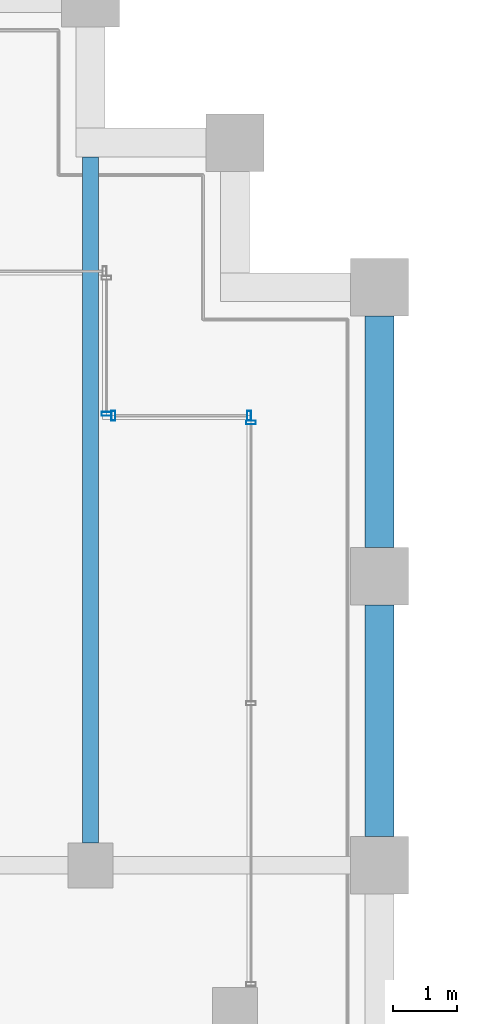
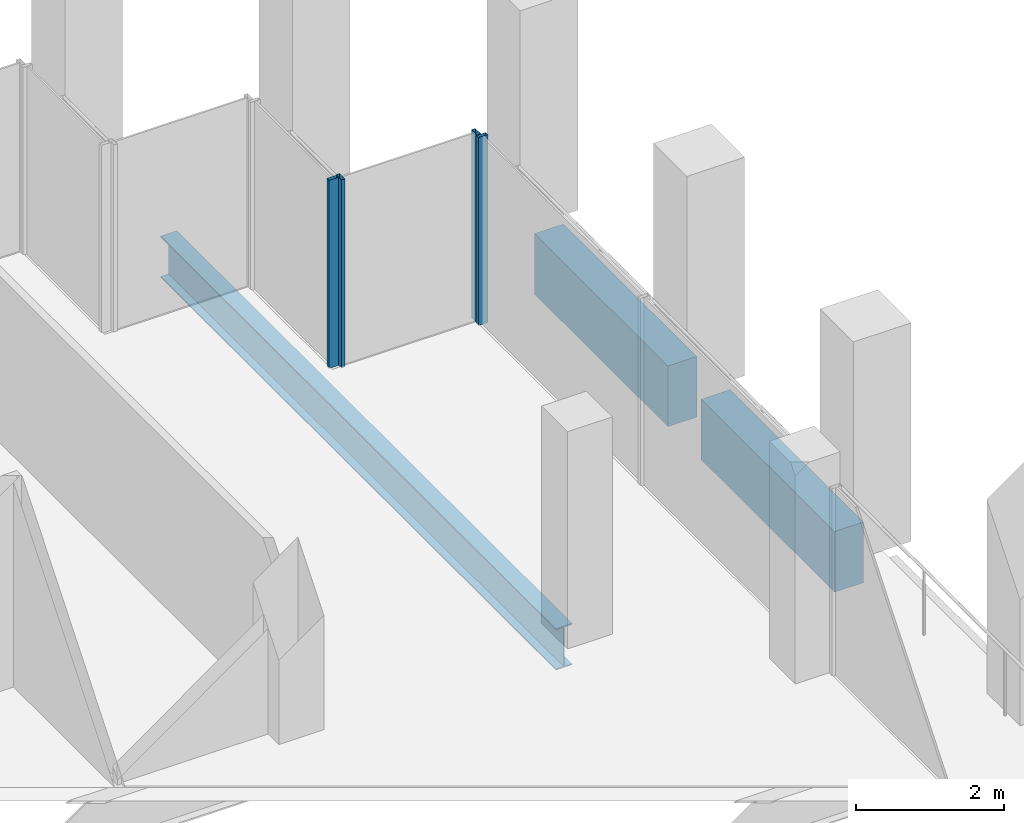
# One storey, part 25 of 40: 4 members, 3 beams, 3 elements without a shape of their own.
"""IFC4 building model written with IfcOpenShell, lengths in metres."""

from ifc_helpers import new_model, si_unit, direction, frame, origin, origin_2d, place, context, subcontext, project, spatial, rectangle, hollow_rectangle, i_section, extrude, material, material_profile, profile_set, type_object, element, aggregate, save


model = new_model("IFC4")

# Units and contexts
model_context = context("Model", 3, precision=1e-05, world=origin(), true_north=direction((0.0, 1.0)))
body_context = subcontext(model_context, "Body", "Model", "MODEL_VIEW")
ifc_project = project(units=[si_unit("LENGTHUNIT", "METRE"), si_unit("AREAUNIT", "SQUARE_METRE"), si_unit("VOLUMEUNIT", "CUBIC_METRE"), si_unit("PLANEANGLEUNIT", "RADIAN"), si_unit("MASSUNIT", "GRAM", prefix="KILO")], contexts=[model_context])

# Site, building, storey
site_placement = place(None, origin())
site = spatial("IfcSite", under=ifc_project, at=site_placement, CompositionType="ELEMENT")
building_placement = place(site_placement, origin())
building = spatial("IfcBuilding", under=site, at=building_placement, Name="Altepetl Exchange Towers", CompositionType="ELEMENT")
storey_placement = place(building_placement, frame((0.0, 0.0, 161.800048828125)))
storey = spatial("IfcBuildingStorey", under=building, at=storey_placement, Name="L40", CompositionType="ELEMENT", Elevation=161.800048828125)

# Beam
ifc_material_1 = material(Name="Steel S355", Category="steel")
ifc_material_profile_1 = material_profile(ifc_material_1, i_section(OverallWidth=0.25390625, OverallDepth=0.68408203125, WebThickness=0.012451171875, FlangeThickness=0.018798828125, at=origin_2d()), Name="W27X94")
ifc_profile_set_1 = profile_set([ifc_material_profile_1], Name="Steel S355")
beam_type_1 = type_object("IfcBeamType", Name="Floor beam W27X94", PredefinedType="BEAM", material=ifc_profile_set_1)
beam_placement = place(storey_placement, frame((67.5, 58.85009765625, -0.491943359375), z_axis=(0.0, 1.0, 0.0), x_axis=(-1.0, 0.0, 0.0)))
element("IfcBeam", 1, at=beam_placement, inside=storey, type_object=beam_type_1, Name="bm:A:L40:005", PredefinedType="BEAM", context=body_context, shape_type="SweptSolid", body=[
    extrude(i_section(OverallWidth=0.25390625, OverallDepth=0.68408203125, WebThickness=0.012451171875, FlangeThickness=0.018798828125, at=origin_2d()), origin(), (0.0, 0.0, 1.0), 10.6748046875),
])

# Curtain wall, member
ifc_material_2 = material(Name="Aluminium 6063-T6 glazing", Category="aluminium")
curtain_wall_type = type_object("IfcCurtainWallType", Name="Loggia glazing system", PredefinedType="NOTDEFINED", material=ifc_material_2)
curtain_wall_1_placement = place(storey_placement, origin())
curtain_wall_1 = element("IfcCurtainWall", 2, at=curtain_wall_1_placement, inside=storey, type_object=curtain_wall_type, Name="CW1 run", PredefinedType="NOTDEFINED")
ifc_material_3 = material(Name="Aluminium 6063-T6", Category="aluminium")
ifc_material_profile_2 = material_profile(ifc_material_3, hollow_rectangle(XDim=0.06005859375, YDim=0.14990234375, WallThickness=0.0029296875, at=origin_2d()), Name="Mullion 60x150 aluminium")
ifc_profile_set_2 = profile_set([ifc_material_profile_2], Name="Aluminium 6063-T6")
member_type = type_object("IfcMemberType", Name="Mullion 60x150 aluminium", PredefinedType="MULLION", material=ifc_profile_set_2)
member_1_placement = place(storey_placement, frame((70.0, 65.39501953125, 0.0), z_axis=(0.0, 0.0, 1.0), x_axis=(0.0, 1.0, 0.0)))
member_1 = element("IfcMember", 3, at=member_1_placement, type_object=member_type, Name="MU1 mullion", PredefinedType="MULLION", context=body_context, shape_type="SweptSolid", body=[
    extrude(hollow_rectangle(XDim=0.06005859375, YDim=0.14990234375, WallThickness=0.0029296875, at=origin_2d()), origin(), (0.0, 0.0, 1.0), 3.099853515625),
])
aggregate(curtain_wall_1, [member_1])

# Curtain wall, members
curtain_wall_2_placement = place(storey_placement, origin())
curtain_wall_2 = element("IfcCurtainWall", 4, at=curtain_wall_2_placement, inside=storey, type_object=curtain_wall_type, Name="CW1 run", PredefinedType="NOTDEFINED")
member_2_placement = place(storey_placement, frame((69.969970703125, 65.5, 0.0), z_axis=(0.0, 0.0, 1.0), x_axis=(-1.0, 0.0, 0.0)))
member_2 = element("IfcMember", 5, at=member_2_placement, type_object=member_type, Name="MU1 mullion", PredefinedType="MULLION", context=body_context, shape_type="SweptSolid", body=[
    extrude(hollow_rectangle(XDim=0.06005859375, YDim=0.14990234375, WallThickness=0.0029296875, at=origin_2d()), origin(), (0.0, 0.0, 1.0), 3.099853515625),
])
member_3_placement = place(storey_placement, frame((67.85498046875, 65.5, 0.0), z_axis=(0.0, 0.0, 1.0), x_axis=(-1.0, 0.0, 0.0)))
member_3 = element("IfcMember", 6, at=member_3_placement, type_object=member_type, Name="MU1 mullion", PredefinedType="MULLION", context=body_context, shape_type="SweptSolid", body=[
    extrude(hollow_rectangle(XDim=0.06005859375, YDim=0.14990234375, WallThickness=0.0029296875, at=origin_2d()), origin(), (0.0, 0.0, 1.0), 3.099853515625),
])
aggregate(curtain_wall_2, [member_2, member_3])

# Curtain wall, member
curtain_wall_3_placement = place(storey_placement, origin())
curtain_wall_3 = element("IfcCurtainWall", 7, at=curtain_wall_3_placement, inside=storey, type_object=curtain_wall_type, Name="CW1 run", PredefinedType="NOTDEFINED")
member_4_placement = place(storey_placement, frame((67.75, 65.530029296875, 0.0), z_axis=(0.0, 0.0, 1.0), x_axis=(0.0, 1.0, 0.0)))
member_4 = element("IfcMember", 8, at=member_4_placement, type_object=member_type, Name="MU1 mullion", PredefinedType="MULLION", context=body_context, shape_type="SweptSolid", body=[
    extrude(hollow_rectangle(XDim=0.06005859375, YDim=0.14990234375, WallThickness=0.0029296875, at=origin_2d()), origin(), (0.0, 0.0, 1.0), 3.099853515625),
])
aggregate(curtain_wall_3, [member_4])

# Beams
ifc_material_4 = material(Name="Concrete C50/60 precast with cantera rosa facing", Category="concrete")
ifc_material_profile_3 = material_profile(ifc_material_4, rectangle(XDim=0.449951171875, YDim=1.0, at=origin_2d()), Name="450 x 1000")
ifc_profile_set_3 = profile_set([ifc_material_profile_3], Name="Concrete C50/60 precast with cantera rosa facing")
beam_type_2 = type_object("IfcBeamType", Name="Spandrel beam 450x1000 cantera rosa", PredefinedType="SPANDREL", material=ifc_profile_set_3)
for number, where, z_axis, x_axis, name in (
    (9, (72.0, 58.949951171875, -0.650146484375), (0.0, 1.0, 0.0), (-1.0, 0.0, 0.0), "sp:A:L40:018"),
    (10, (72.0, 63.449951171875, -0.650146484375), (0.0, 1.0, 0.0), (-1.0, 0.0, 0.0), "sp:A:L40:019"),
):
    element("IfcBeam", number, at=place(storey_placement, frame(where, z_axis=z_axis, x_axis=x_axis)), inside=storey, type_object=beam_type_2, Name=name, PredefinedType="SPANDREL", context=body_context, shape_type="SweptSolid", body=[
        extrude(rectangle(XDim=0.449951171875, YDim=1.0, at=origin_2d()), origin(), (0.0, 0.0, 1.0), 3.60009765625),
    ])

save(model, "model.ifc")
